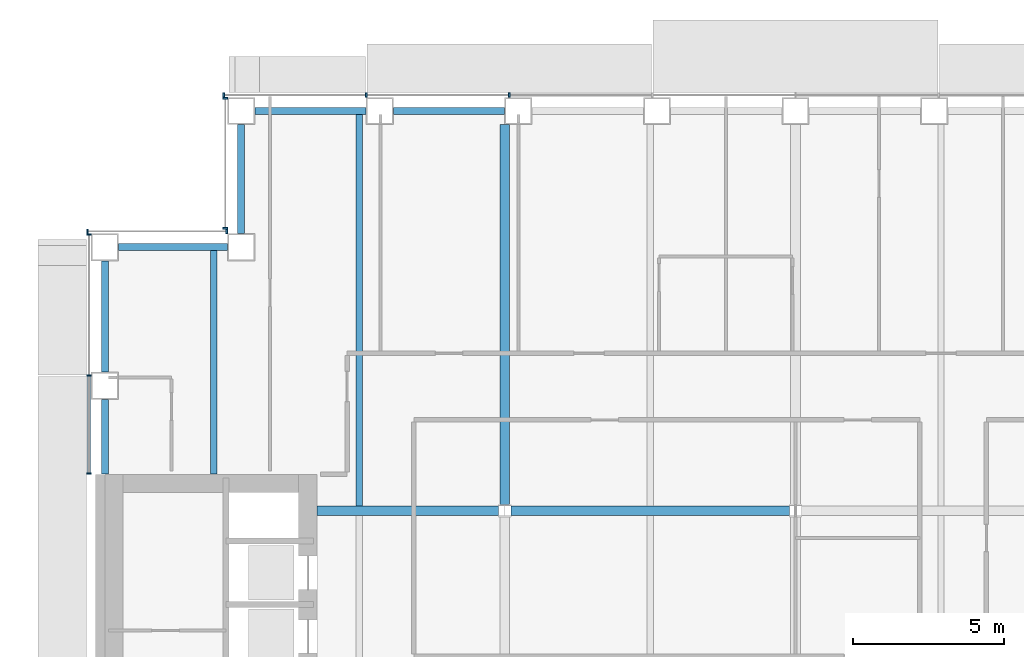
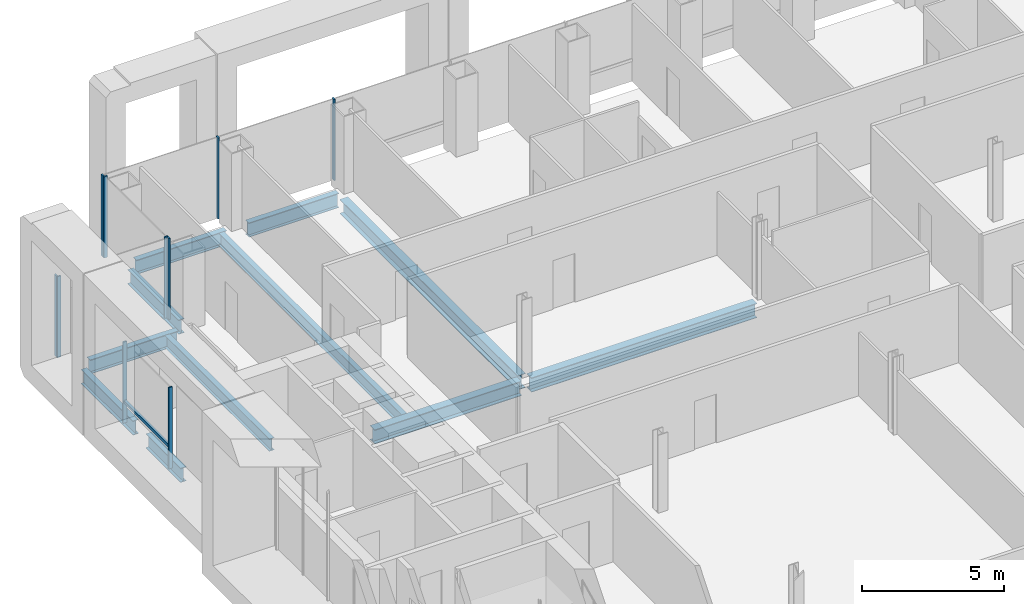
# One storey, part 6 of 20: 11 beams, 11 members, 4 elements without a shape of their own.
"""IFC4 building model written with IfcOpenShell, lengths in metres."""

from ifc_helpers import new_model, si_unit, direction, frame, origin, origin_2d, place, context, subcontext, project, spatial, rectangle, i_section, extrude, material, material_profile, profile_set, type_object, element, aggregate, save


model = new_model("IFC4")

# Units and contexts
model_context = context("Model", 3, precision=1e-05, world=origin(), true_north=direction((0.0, 1.0)))
body_context = subcontext(model_context, "Body", "Model", "MODEL_VIEW")
ifc_project = project(units=[si_unit("LENGTHUNIT", "METRE"), si_unit("AREAUNIT", "SQUARE_METRE"), si_unit("VOLUMEUNIT", "CUBIC_METRE"), si_unit("PLANEANGLEUNIT", "RADIAN"), si_unit("MASSUNIT", "GRAM", prefix="KILO")], contexts=[model_context])

# Site, building, storey
site_placement = place(None, origin())
site = spatial("IfcSite", under=ifc_project, at=site_placement, CompositionType="ELEMENT")
building_placement = place(site_placement, origin())
building = spatial("IfcBuilding", under=site, at=building_placement, Name="Cobrizo Arcos Hotel Tower", CompositionType="ELEMENT")
storey_placement = place(building_placement, frame((0.0, 0.0, 110.0)))
storey = spatial("IfcBuildingStorey", under=building, at=storey_placement, Name="L27", CompositionType="ELEMENT", Elevation=110.0)

# Curtain wall, members
ifc_material_1 = material(Name="Aluminium 6063-T6 anodised bronze", Category="aluminium")
curtain_wall_type = type_object("IfcCurtainWallType", Name="CW-A guest facade", PredefinedType="NOTDEFINED", material=ifc_material_1)
curtain_wall_1_placement = place(storey_placement, origin())
curtain_wall_1 = element("IfcCurtainWall", 1, at=curtain_wall_1_placement, inside=storey, type_object=curtain_wall_type, Name="CW-A L27 N face", PredefinedType="NOTDEFINED")
ifc_material_profile_1 = material_profile(ifc_material_1, rectangle(XDim=0.14990234375, YDim=0.06005859375, at=origin_2d()), Name="CW-A mullion 150x60")
ifc_profile_set_1 = profile_set([ifc_material_profile_1], Name="Aluminium 6063-T6 anodised bronze")
member_type_1 = type_object("IfcMemberType", Name="CW-A mullion 150x60", PredefinedType="MULLION", material=ifc_profile_set_1)
member_1_placement = place(storey_placement, frame((-9.449951171875, 23.324951171875, 0.0), z_axis=(0.0, 0.0, 1.0), x_axis=(0.0, 1.0, 0.0)))
member_1 = element("IfcMember", 2, at=member_1_placement, type_object=member_type_1, Name="CW-A mullion 7", PredefinedType="MULLION", context=body_context, shape_type="SweptSolid", body=[
    extrude(rectangle(XDim=0.14990234375, YDim=0.06005859375, at=origin_2d()), origin(), (0.0, 0.0, 1.0), 3.5),
])
member_2_placement = place(storey_placement, frame((-14.175048828125, 23.324951171875, 0.0), z_axis=(0.0, 0.0, 1.0), x_axis=(0.0, 1.0, 0.0)))
member_2 = element("IfcMember", 3, at=member_2_placement, type_object=member_type_1, Name="CW-A mullion 8", PredefinedType="MULLION", context=body_context, shape_type="SweptSolid", body=[
    extrude(rectangle(XDim=0.14990234375, YDim=0.06005859375, at=origin_2d()), origin(), (0.0, 0.0, 1.0), 3.5),
])
member_3_placement = place(storey_placement, frame((-18.8701171875, 23.324951171875, 0.0), z_axis=(0.0, 0.0, 1.0), x_axis=(0.0, 1.0, 0.0)))
member_3 = element("IfcMember", 4, at=member_3_placement, type_object=member_type_1, Name="CW-A mullion 9", PredefinedType="MULLION", context=body_context, shape_type="SweptSolid", body=[
    extrude(rectangle(XDim=0.14990234375, YDim=0.06005859375, at=origin_2d()), origin(), (0.0, 0.0, 1.0), 3.5),
])
aggregate(curtain_wall_1, [member_1, member_2, member_3])

curtain_wall_2_placement = place(storey_placement, origin())
curtain_wall_2 = element("IfcCurtainWall", 5, at=curtain_wall_2_placement, inside=storey, type_object=curtain_wall_type, Name="CW-A L27 W face", PredefinedType="NOTDEFINED")
member_4_placement = place(storey_placement, frame((-18.824951171875, 23.219970703125, 0.0), z_axis=(0.0, 0.0, 1.0), x_axis=(-1.0, 0.0, 0.0)))
member_4 = element("IfcMember", 6, at=member_4_placement, type_object=member_type_1, Name="CW-A mullion 1", PredefinedType="MULLION", context=body_context, shape_type="SweptSolid", body=[
    extrude(rectangle(XDim=0.14990234375, YDim=0.06005859375, at=origin_2d()), origin(), (0.0, 0.0, 1.0), 3.5),
])
member_5_placement = place(storey_placement, frame((-18.824951171875, 18.929931640625, 0.0), z_axis=(0.0, 0.0, 1.0), x_axis=(-1.0, 0.0, 0.0)))
member_5 = element("IfcMember", 7, at=member_5_placement, type_object=member_type_1, Name="CW-A mullion 2", PredefinedType="MULLION", context=body_context, shape_type="SweptSolid", body=[
    extrude(rectangle(XDim=0.14990234375, YDim=0.06005859375, at=origin_2d()), origin(), (0.0, 0.0, 1.0), 3.5),
])
aggregate(curtain_wall_2, [member_4, member_5])

curtain_wall_3_placement = place(storey_placement, origin())
curtain_wall_3 = element("IfcCurtainWall", 8, at=curtain_wall_3_placement, inside=storey, type_object=curtain_wall_type, Name="CW-A L27 N face", PredefinedType="NOTDEFINED")
member_6_placement = place(storey_placement, frame((-18.780029296875, 18.824951171875, 0.0), z_axis=(0.0, 0.0, 1.0), x_axis=(0.0, 1.0, 0.0)))
member_6 = element("IfcMember", 9, at=member_6_placement, type_object=member_type_1, Name="CW-A mullion 1", PredefinedType="MULLION", context=body_context, shape_type="SweptSolid", body=[
    extrude(rectangle(XDim=0.14990234375, YDim=0.06005859375, at=origin_2d()), origin(), (0.0, 0.0, 1.0), 3.5),
])
member_7_placement = place(storey_placement, frame((-23.3701171875, 18.824951171875, 0.0), z_axis=(0.0, 0.0, 1.0), x_axis=(0.0, 1.0, 0.0)))
member_7 = element("IfcMember", 10, at=member_7_placement, type_object=member_type_1, Name="CW-A mullion 2", PredefinedType="MULLION", context=body_context, shape_type="SweptSolid", body=[
    extrude(rectangle(XDim=0.14990234375, YDim=0.06005859375, at=origin_2d()), origin(), (0.0, 0.0, 1.0), 3.5),
])
aggregate(curtain_wall_3, [member_6, member_7])

curtain_wall_4_placement = place(storey_placement, origin())
curtain_wall_4 = element("IfcCurtainWall", 11, at=curtain_wall_4_placement, inside=storey, type_object=curtain_wall_type, Name="CW-A L27 W face", PredefinedType="NOTDEFINED")
member_8_placement = place(storey_placement, frame((-23.324951171875, 18.719970703125, 0.0), z_axis=(0.0, 0.0, 1.0), x_axis=(-1.0, 0.0, 0.0)))
member_8 = element("IfcMember", 12, at=member_8_placement, type_object=member_type_1, Name="CW-A mullion 1", PredefinedType="MULLION", context=body_context, shape_type="SweptSolid", body=[
    extrude(rectangle(XDim=0.14990234375, YDim=0.06005859375, at=origin_2d()), origin(), (0.0, 0.0, 1.0), 3.5),
])
member_9_placement = place(storey_placement, frame((-23.324951171875, 14.0625, 0.0), z_axis=(0.0, 0.0, 1.0), x_axis=(-1.0, 0.0, 0.0)))
member_9 = element("IfcMember", 13, at=member_9_placement, type_object=member_type_1, Name="CW-A mullion 2", PredefinedType="MULLION", context=body_context, shape_type="SweptSolid", body=[
    extrude(rectangle(XDim=0.14990234375, YDim=0.06005859375, at=origin_2d()), origin(), (0.0, 0.0, 1.0), 3.5),
])
member_10_placement = place(storey_placement, frame((-23.324951171875, 10.830078125, 0.0), z_axis=(0.0, 0.0, 1.0), x_axis=(-1.0, 0.0, 0.0)))
member_10 = element("IfcMember", 14, at=member_10_placement, type_object=member_type_1, Name="CW-A mullion 3", PredefinedType="MULLION", context=body_context, shape_type="SweptSolid", body=[
    extrude(rectangle(XDim=0.14990234375, YDim=0.06005859375, at=origin_2d()), origin(), (0.0, 0.0, 1.0), 3.5),
])
ifc_material_profile_2 = material_profile(ifc_material_1, rectangle(XDim=0.10009765625, YDim=0.1201171875, at=origin_2d()), Name="CW-A transom 120x100")
ifc_profile_set_2 = profile_set([ifc_material_profile_2], Name="Aluminium 6063-T6 anodised bronze")
member_type_2 = type_object("IfcMemberType", Name="CW-A transom 120x100", PredefinedType="USERDEFINED", material=ifc_profile_set_2)
member_11_placement = place(storey_placement, frame((-23.324951171875, 14.032470703125, 0.929931640625), z_axis=(0.0, -1.0, 0.0), x_axis=(1.0, 0.0, 0.0)))
member_11 = element("IfcMember", 15, at=member_11_placement, type_object=member_type_2, Name="CW-A transom 1070", ObjectType="TRANSOM", PredefinedType="USERDEFINED", context=body_context, shape_type="SweptSolid", body=[
    extrude(rectangle(XDim=0.10009765625, YDim=0.1201171875, at=origin_2d()), origin(), (0.0, 0.0, 1.0), 3.17236328125),
])
aggregate(curtain_wall_4, [member_8, member_9, member_10, member_11])

# Beams
ifc_material_2 = material(Name="Steel ASTM A992 Grade 50", Category="steel")
ifc_material_profile_3 = material_profile(ifc_material_2, i_section(OverallWidth=0.209228515625, OverallDepth=0.533447265625, WebThickness=0.01025390625, FlangeThickness=0.015625, at=origin_2d()), Name="W21X62")
ifc_profile_set_3 = profile_set([ifc_material_profile_3], Name="Steel ASTM A992 Grade 50")
beam_type_1 = type_object("IfcBeamType", Name="W21X62 joist", PredefinedType="JOIST", material=ifc_profile_set_3)
beam_1_placement = place(storey_placement, frame((-19.199951171875, 10.81005859375, -0.416748046875), z_axis=(0.0, 1.0, 0.0), x_axis=(-1.0, 0.0, 0.0)))
element("IfcBeam", 16, at=beam_1_placement, inside=storey, type_object=beam_type_1, Name="Floor joist J1, L27, no. 002", PredefinedType="JOIST", context=body_context, shape_type="SweptSolid", body=[
    extrude(i_section(OverallWidth=0.209228515625, OverallDepth=0.533447265625, WebThickness=0.01025390625, FlangeThickness=0.015625, at=origin_2d()), origin(), (0.0, 0.0, 1.0), 7.39990234375),
])
beam_2_placement = place(storey_placement, frame((-14.39990234375, 9.763916015625, -0.416748046875), z_axis=(0.0, 1.0, 0.0), x_axis=(-1.0, 0.0, 0.0)))
element("IfcBeam", 17, at=beam_2_placement, inside=storey, type_object=beam_type_1, Name="Floor joist J1, L27, no. 006", PredefinedType="JOIST", context=body_context, shape_type="SweptSolid", body=[
    extrude(i_section(OverallWidth=0.209228515625, OverallDepth=0.533447265625, WebThickness=0.01025390625, FlangeThickness=0.015625, at=origin_2d()), origin(), (0.0, 0.0, 1.0), 12.946044921875),
])
ifc_material_profile_4 = material_profile(ifc_material_2, i_section(OverallWidth=0.32763671875, OverallDepth=0.622314453125, WebThickness=0.015380859375, FlangeThickness=0.0244140625, at=origin_2d()), Name="W24X131")
ifc_profile_set_4 = profile_set([ifc_material_profile_4], Name="Steel ASTM A992 Grade 50")
beam_type_2 = type_object("IfcBeamType", Name="W24X131 girder", PredefinedType="BEAM", material=ifc_profile_set_4)
beam_3_placement = place(storey_placement, frame((-15.7900390625, 9.60009765625, -0.461181640625), z_axis=(1.0, 0.0, 0.0), x_axis=(0.0, 1.0, 0.0)))
element("IfcBeam", 18, at=beam_3_placement, inside=storey, type_object=beam_type_2, Name="Floor girder G1, L27, no. 009", PredefinedType="BEAM", context=body_context, shape_type="SweptSolid", body=[
    extrude(i_section(OverallWidth=0.32763671875, OverallDepth=0.622314453125, WebThickness=0.015380859375, FlangeThickness=0.0244140625, at=origin_2d()), origin(), (0.0, 0.0, 1.0), 5.99072265625),
])
beam_4_placement = place(storey_placement, frame((-9.400634765625, 9.60009765625, -0.461181640625), z_axis=(1.0, 0.0, 0.0), x_axis=(0.0, 1.0, 0.0)))
element("IfcBeam", 19, at=beam_4_placement, inside=storey, type_object=beam_type_2, Name="Floor girder G1, L27, no. 010", PredefinedType="BEAM", context=body_context, shape_type="SweptSolid", body=[
    extrude(i_section(OverallWidth=0.32763671875, OverallDepth=0.622314453125, WebThickness=0.015380859375, FlangeThickness=0.0244140625, at=origin_2d()), origin(), (0.0, 0.0, 1.0), 9.201171875),
])
beam_5_placement = place(storey_placement, frame((-9.60009765625, 9.79931640625, -0.461181640625), z_axis=(0.0, 1.0, 0.0), x_axis=(-1.0, 0.0, 0.0)))
element("IfcBeam", 20, at=beam_5_placement, inside=storey, type_object=beam_type_2, Name="Floor girder G1, L27, no. 016", PredefinedType="BEAM", context=body_context, shape_type="SweptSolid", body=[
    extrude(i_section(OverallWidth=0.32763671875, OverallDepth=0.622314453125, WebThickness=0.015380859375, FlangeThickness=0.0244140625, at=origin_2d()), origin(), (0.0, 0.0, 1.0), 12.55078125),
])
ifc_material_profile_5 = material_profile(ifc_material_2, i_section(OverallWidth=0.23046875, OverallDepth=0.6171875, WebThickness=0.01318359375, FlangeThickness=0.022216796875, at=origin_2d()), Name="W24X94")
ifc_profile_set_5 = profile_set([ifc_material_profile_5], Name="Steel ASTM A992 Grade 50")
beam_type_3 = type_object("IfcBeamType", Name="W24X94 spandrel", PredefinedType="SPANDREL", material=ifc_profile_set_5)
beam_6_placement = place(storey_placement, frame((-9.60009765625, 22.800048828125, -0.45849609375), z_axis=(-1.0, 0.0, 0.0), x_axis=(0.0, -1.0, 0.0)))
element("IfcBeam", 21, at=beam_6_placement, inside=storey, type_object=beam_type_3, Name="Spandrel beam W24X94, L27, no. 023", PredefinedType="SPANDREL", context=body_context, shape_type="SweptSolid", body=[
    extrude(i_section(OverallWidth=0.23046875, OverallDepth=0.6171875, WebThickness=0.01318359375, FlangeThickness=0.022216796875, at=origin_2d()), origin(), (0.0, 0.0, 1.0), 3.6748046875),
])
beam_7_placement = place(storey_placement, frame((-14.175048828125, 22.800048828125, -0.45849609375), z_axis=(-1.0, 0.0, 0.0), x_axis=(0.0, -1.0, 0.0)))
element("IfcBeam", 22, at=beam_7_placement, inside=storey, type_object=beam_type_3, Name="Spandrel beam W24X94, L27, no. 024", PredefinedType="SPANDREL", context=body_context, shape_type="SweptSolid", body=[
    extrude(i_section(OverallWidth=0.23046875, OverallDepth=0.6171875, WebThickness=0.01318359375, FlangeThickness=0.022216796875, at=origin_2d()), origin(), (0.0, 0.0, 1.0), 3.675048828125),
])
for number, where, z_axis, x_axis, name in (
    (23, (-18.300048828125, 22.35009765625, -0.45849609375), (0.0, -1.0, 0.0), (1.0, 0.0, 0.0), "Spandrel beam W24X94, L27, no. 025"),
    (24, (-18.75, 18.300048828125, -0.45849609375), (-1.0, 0.0, 0.0), (0.0, -1.0, 0.0), "Spandrel beam W24X94, L27, no. 026"),
):
    element("IfcBeam", number, at=place(storey_placement, frame(where, z_axis=z_axis, x_axis=x_axis)), inside=storey, type_object=beam_type_3, Name=name, PredefinedType="SPANDREL", context=body_context, shape_type="SweptSolid", body=[
        extrude(i_section(OverallWidth=0.23046875, OverallDepth=0.6171875, WebThickness=0.01318359375, FlangeThickness=0.022216796875, at=origin_2d()), origin(), (0.0, 0.0, 1.0), 3.60009765625),
    ])
beam_8_placement = place(storey_placement, frame((-22.800048828125, 17.85009765625, -0.45849609375), z_axis=(0.0, -1.0, 0.0), x_axis=(1.0, 0.0, 0.0)))
element("IfcBeam", 25, at=beam_8_placement, inside=storey, type_object=beam_type_3, Name="Spandrel beam W24X94, L27, no. 027", PredefinedType="SPANDREL", context=body_context, shape_type="SweptSolid", body=[
    extrude(i_section(OverallWidth=0.23046875, OverallDepth=0.6171875, WebThickness=0.01318359375, FlangeThickness=0.022216796875, at=origin_2d()), origin(), (0.0, 0.0, 1.0), 3.675048828125),
])
beam_9_placement = place(storey_placement, frame((-22.800048828125, 13.27490234375, -0.45849609375), z_axis=(0.0, -1.0, 0.0), x_axis=(1.0, 0.0, 0.0)))
element("IfcBeam", 26, at=beam_9_placement, inside=storey, type_object=beam_type_3, Name="Spandrel beam W24X94, L27, no. 028", PredefinedType="SPANDREL", context=body_context, shape_type="SweptSolid", body=[
    extrude(i_section(OverallWidth=0.23046875, OverallDepth=0.6171875, WebThickness=0.01318359375, FlangeThickness=0.022216796875, at=origin_2d()), origin(), (0.0, 0.0, 1.0), 2.46484375),
])

save(model, "model.ifc")
